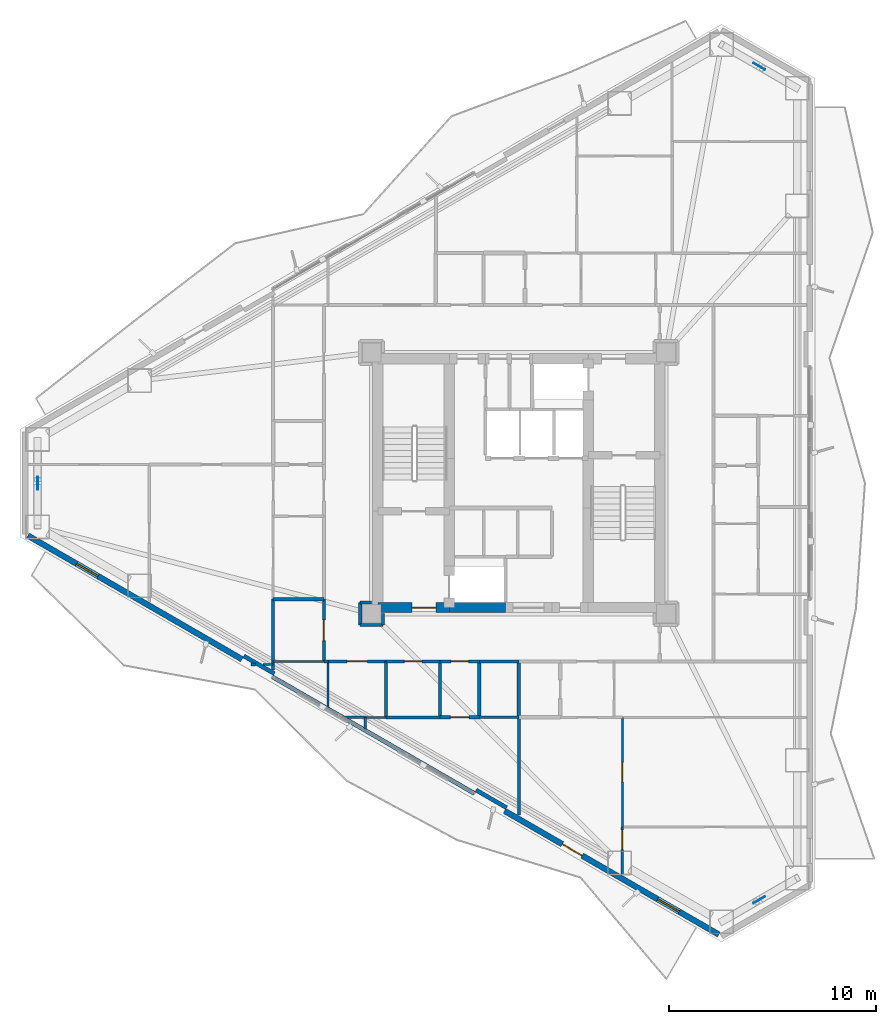
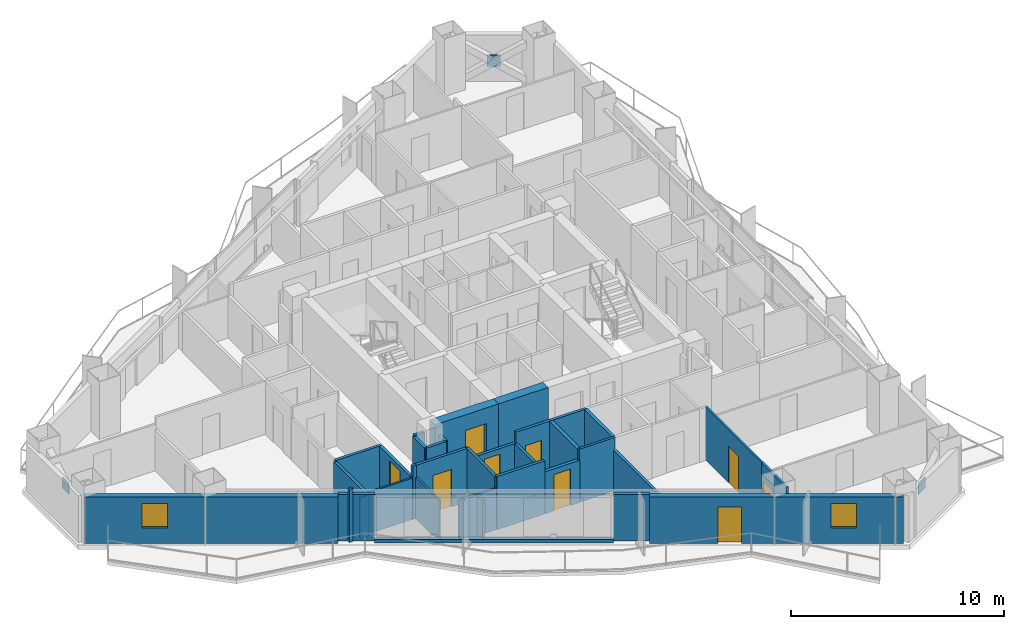
# One storey, part 15 of 23: 36 walls, 9 doors, 3 plates, 2 windows, 11 openings.
"""IFC4 building model written with IfcOpenShell, lengths in metres."""

from ifc_helpers import new_model, si_unit, direction, frame, frame_2d, origin, origin_2d, place, context, subcontext, project, spatial, rectangle, extrude, material, layer, layer_set, type_object, element, fill, save


model = new_model("IFC4")

# Units and contexts
model_context = context("Model", 3, precision=1e-05, world=origin(), true_north=direction((0.0, 1.0)))
body_context = subcontext(model_context, "Body", "Model", "MODEL_VIEW")
ifc_project = project(units=[si_unit("LENGTHUNIT", "METRE"), si_unit("AREAUNIT", "SQUARE_METRE"), si_unit("VOLUMEUNIT", "CUBIC_METRE"), si_unit("PLANEANGLEUNIT", "RADIAN"), si_unit("MASSUNIT", "GRAM", prefix="KILO")], contexts=[model_context])

# Site, building, storey
site_placement = place(None, origin())
site = spatial("IfcSite", under=ifc_project, at=site_placement, CompositionType="ELEMENT")
building_placement = place(site_placement, origin())
building = spatial("IfcBuilding", under=site, at=building_placement, Name="Mersakhor Tower and Convention Hall", CompositionType="ELEMENT")
storey_placement = place(building_placement, frame((0.0, 0.0, 80.10009765625)))
storey = spatial("IfcBuildingStorey", under=building, at=storey_placement, Name="L21", CompositionType="ELEMENT", Elevation=80.10009765625)

# Plates
ifc_material_1 = material(Name="Steel S460", Category="steel")
ifc_layer_1 = layer(ifc_material_1, 0.0400390625)
ifc_layer_set_1 = layer_set([ifc_layer_1], Name="Steel S460")
plate_type = type_object("IfcPlateType", Name="PL-GUSSET-40", PredefinedType="SHEET", material=ifc_layer_set_1)
for number, where, z_axis, x_axis, name in (
    (1, (40.606689453125, 46.853515625, 1.205078125), (0.0, 0.0, 1.0), (-0.866025403784, 0.5, 0.0), "L21 X-Brace Crossing Gusset Node Plate"),
    (2, (40.606689453125, 6.646728515625, 1.205078125), (0.0, 0.0, 1.0), (0.866025403784, 0.5, 0.0), "L21 X-Brace Crossing Gusset Node Plate"),
    (3, (5.78662109375, 26.75, 1.205078125), (0.0, 0.0, 1.0), (0.0, -1.0, 0.0), "L21 X-Brace Crossing Gusset Node Plate"),
):
    element("IfcPlate", number, at=place(storey_placement, frame(where, z_axis=z_axis, x_axis=x_axis)), inside=storey, type_object=plate_type, Name=name, PredefinedType="SHEET", context=body_context, shape_type="SweptSolid", body=[
        extrude(rectangle(XDim=0.639892578125, YDim=0.0400390625, at=origin_2d()), origin(), (0.0, 0.0, 1.0), 0.639892578125),
    ])

# Wall, openings, door, window
ifc_material_2 = material(Name="Precast concrete C45/55", Category="concrete")
ifc_layer_2 = layer(ifc_material_2, 0.27490234375)
ifc_layer_set_2 = layer_set([ifc_layer_2], Name="Precast concrete C45/55")
wall_type_1 = type_object("IfcWallType", Name="WL-EXT-275", PredefinedType="SOLIDWALL", material=ifc_layer_set_2)
wall_1_placement = place(storey_placement, frame((38.648681640625, 4.973388671875, 0.0), z_axis=(0.0, 0.0, 1.0), x_axis=(-0.866023023012, 0.500004123596, 0.0)))
wall_1 = element("IfcWall", 4, at=wall_1_placement, inside=storey, type_object=wall_type_1, Name="L21 Exterior Facade Wall F3-B1", PredefinedType="SOLIDWALL", context=body_context, shape_type="SweptSolid", body=[
    extrude(rectangle(XDim=11.9296875, YDim=0.27490234375, at=frame_2d((5.96484375, 0.0))), origin(), (0.0, 0.0, 1.0), 2.669921875),
])
opening_1_placement = place(wall_1_placement, frame((7.615966796875, 0.0, 0.0)))
opening_1 = element("IfcOpeningElement", 5, at=opening_1_placement, cuts=wall_1, Name="Opening BD-02", PredefinedType="OPENING", context=body_context, shape_type="SweptSolid", body=[
    extrude(rectangle(XDim=1.10009765625, YDim=2.10009765625, at=frame_2d((0.550048828125, 1.050048828125))), frame((0.0, 0.1474609375, 0.0), z_axis=(0.0, -1.0, 0.0), x_axis=(1.0, 0.0, 0.0)), (0.0, 0.0, 1.0), 0.294921875),
])
opening_2_placement = place(wall_1_placement, frame((2.20703125, 0.0, 0.89990234375)))
opening_2 = element("IfcOpeningElement", 6, at=opening_2_placement, cuts=wall_1, Name="Opening W-01", PredefinedType="OPENING", context=body_context, shape_type="SweptSolid", body=[
    extrude(rectangle(XDim=1.199951171875, YDim=1.39990234375, at=frame_2d((0.60009765625, 0.699951171875))), frame((0.0, 0.1474609375, 0.0), z_axis=(0.0, -1.0, 0.0), x_axis=(1.0, 0.0, 0.0)), (0.0, 0.0, 1.0), 0.294921875),
])
ifc_material_3 = material(Name="Thermally broken dark aluminium and safety glass", Category="aluminium")
door_type_1 = type_object("IfcDoorType", Name="DR-BAL-110x210", OperationType="NOTDEFINED", PredefinedType="DOOR", material=ifc_material_3)
door_1_placement = place(opening_1_placement, origin())
door_1 = element("IfcDoor", 7, at=door_1_placement, inside=storey, type_object=door_type_1, Name="L21 Balcony Terrace Door F3-B1", OperationType="SINGLE_SWING_RIGHT", OverallHeight=2.10009765625, OverallWidth=1.10009765625, PredefinedType="DOOR", context=body_context, shape_type="SweptSolid", body=[
    extrude(rectangle(XDim=1.10009765625, YDim=2.10009765625, at=frame_2d((0.550048828125, 1.050048828125))), frame((0.0, 0.02490234375, 0.0), z_axis=(0.0, -1.0, 0.0), x_axis=(1.0, 0.0, 0.0)), (0.0, 0.0, 1.0), 0.050048828125),
])
fill(opening_1, door_1)
ifc_material_4 = material(Name="Dark solar low-E glazed aluminium window", Category="aluminium")
window_type = type_object("IfcWindowType", Name="WN-RES-120x150", PartitioningType="SINGLE_PANEL", PredefinedType="WINDOW", material=ifc_material_4)
window_1_placement = place(opening_2_placement, origin())
window_1 = element("IfcWindow", 8, at=window_1_placement, inside=storey, type_object=window_type, Name="L21 Bedroom Facade Window F3-B1-1", OverallHeight=1.39990234375, OverallWidth=1.199951171875, PartitioningType="SINGLE_PANEL", PredefinedType="WINDOW", context=body_context, shape_type="SweptSolid", body=[
    extrude(rectangle(XDim=1.199951171875, YDim=1.39990234375, at=frame_2d((0.60009765625, 0.699951171875))), frame((0.0, 0.030029296875, 0.0), z_axis=(0.0, -1.0, 0.0), x_axis=(1.0, 0.0, 0.0)), (0.0, 0.0, 1.0), 0.06005859375),
])
fill(opening_2, window_1)

# Wall, opening, window
wall_2_placement = place(storey_placement, frame((15.64794921875, 18.2529296875, 0.0), z_axis=(0.0, 0.0, 1.0), x_axis=(-0.866023023012, 0.500004123596, 0.0)))
wall_2 = element("IfcWall", 9, at=wall_2_placement, inside=storey, type_object=wall_type_1, Name="L21 Exterior Facade Wall F3-B3", PredefinedType="SOLIDWALL", context=body_context, shape_type="SweptSolid", body=[
    extrude(rectangle(XDim=11.9296875, YDim=0.27490234375, at=frame_2d((5.96484375, 0.0))), origin(), (0.0, 0.0, 1.0), 2.669921875),
])
opening_3_placement = place(wall_2_placement, frame((8.02099609375, 0.0, 0.89990234375)))
opening_3 = element("IfcOpeningElement", 10, at=opening_3_placement, cuts=wall_2, Name="Opening W-01", PredefinedType="OPENING", context=body_context, shape_type="SweptSolid", body=[
    extrude(rectangle(XDim=1.199951171875, YDim=1.39990234375, at=frame_2d((0.60009765625, 0.699951171875))), frame((0.0, 0.1474609375, 0.0), z_axis=(0.0, -1.0, 0.0), x_axis=(1.0, 0.0, 0.0)), (0.0, 0.0, 1.0), 0.294921875),
])
window_2_placement = place(opening_3_placement, origin())
window_2 = element("IfcWindow", 11, at=window_2_placement, inside=storey, type_object=window_type, Name="L21 Bedroom Facade Window F3-B3-1", OverallHeight=1.39990234375, OverallWidth=1.199951171875, PartitioningType="SINGLE_PANEL", PredefinedType="WINDOW", context=body_context, shape_type="SweptSolid", body=[
    extrude(rectangle(XDim=1.199951171875, YDim=1.39990234375, at=frame_2d((0.60009765625, 0.699951171875))), frame((0.0, 0.030029296875, 0.0), z_axis=(0.0, -1.0, 0.0), x_axis=(1.0, 0.0, 0.0)), (0.0, 0.0, 1.0), 0.06005859375),
])
fill(opening_3, window_2)

# Walls
ifc_material_5 = material(Name="Precast concrete C40/50", Category="concrete")
ifc_layer_3 = layer(ifc_material_5, 0.199951171875)
ifc_layer_set_3 = layer_set([ifc_layer_3], Name="Precast concrete C40/50")
wall_type_2 = type_object("IfcWallType", Name="WL-PAR-200", PredefinedType="PARAPET", material=ifc_layer_set_3)
wall_3_placement = place(storey_placement, frame((26.84521484375, 11.788330078125, 0.0), z_axis=(0.0, 0.0, 1.0), x_axis=(-0.866027010039, 0.499997217876, 0.0)))
element("IfcWall", 12, at=wall_3_placement, inside=storey, type_object=wall_type_2, Name="L21 Curtain Wall Upstand Sill F3-B2", PredefinedType="PARAPET", context=body_context, shape_type="SweptSolid", body=[
    extrude(rectangle(XDim=11.2294921875, YDim=0.199951171875, at=frame_2d((5.61474609375, 0.0))), origin(), (0.0, 0.0, 1.0), 0.199951171875),
])
wall_4_placement = place(storey_placement, frame((28.407470703125, 11.09423828125, 0.0), z_axis=(0.0, 0.0, 1.0), x_axis=(-0.86605165483, 0.499954529098, 0.0)))
element("IfcWall", 13, at=wall_4_placement, inside=storey, type_object=wall_type_2, Name="L21 Column Pier Cladding Wall F3-C1", PredefinedType="PARAPET", context=body_context, shape_type="SweptSolid", body=[
    extrude(rectangle(XDim=1.699951171875, YDim=0.199951171875, at=frame_2d((0.85009765625, 0.0))), origin(), (0.0, 0.0, 1.0), 2.669921875),
])
wall_5_placement = place(storey_placement, frame((17.210205078125, 17.558837890625, 0.0), z_axis=(0.0, 0.0, 1.0), x_axis=(-0.866025371046, 0.500000056704, 0.0)))
element("IfcWall", 14, at=wall_5_placement, inside=storey, type_object=wall_type_2, Name="L21 Column Pier Cladding Wall F3-C2", PredefinedType="PARAPET", context=body_context, shape_type="SweptSolid", body=[
    extrude(rectangle(XDim=1.7001953125, YDim=0.199951171875, at=frame_2d((0.85009765625, 0.0))), origin(), (0.0, 0.0, 1.0), 2.669921875),
])

# Wall, opening, door
ifc_material_6 = material(Name="Moisture-resistant acoustic drywall studwork", Category="other")
ifc_layer_4 = layer(ifc_material_6, 0.175048828125)
ifc_layer_set_4 = layer_set([ifc_layer_4], Name="Moisture-resistant acoustic drywall studwork")
wall_type_3 = type_object("IfcWallType", Name="WL-PLM-175", PredefinedType="PLUMBINGWALL", material=ifc_layer_set_4)
wall_6_placement = place(storey_placement, frame((27.10009765625, 15.449951171875, 0.0), z_axis=(0.0, 0.0, 1.0), x_axis=(-1.0, 0.0, 0.0)))
wall_6 = element("IfcWall", 15, at=wall_6_placement, inside=storey, type_object=wall_type_3, Name="L21 Interior Partition Wall P-086", PredefinedType="PLUMBINGWALL", context=body_context, shape_type="SweptSolid", body=[
    extrude(rectangle(XDim=1.900146484375, YDim=0.175048828125, at=frame_2d((0.9501953125, 0.0))), origin(), (0.0, 0.0, 1.0), 2.422607421875),
])
opening_4_placement = place(wall_6_placement, frame((0.5, 0.0, 0.0)))
opening_4 = element("IfcOpeningElement", 16, at=opening_4_placement, cuts=wall_6, Name="Opening WD-01", PredefinedType="OPENING", context=body_context, shape_type="SweptSolid", body=[
    extrude(rectangle(XDim=0.89990234375, YDim=2.10009765625, at=frame_2d((0.449951171875, 1.050048828125))), frame((0.0, 0.097412109375, 0.0), z_axis=(0.0, -1.0, 0.0), x_axis=(1.0, 0.0, 0.0)), (0.0, 0.0, 1.0), 0.195068359375),
])
ifc_material_7 = material(Name="Solid-core hardwood leaf in painted steel frame", Category="steel")
door_type_2 = type_object("IfcDoorType", Name="DR-INT-WET-090x210", OperationType="NOTDEFINED", PredefinedType="DOOR", material=ifc_material_7)
door_2_placement = place(opening_4_placement, origin())
door_2 = element("IfcDoor", 17, at=door_2_placement, inside=storey, type_object=door_type_2, Name="L21 L21 Floor Shared Restroom WC 2-2 to L21 Floor Residents Study Room 2-4 Door", OperationType="SINGLE_SWING_LEFT", OverallHeight=2.10009765625, OverallWidth=0.89990234375, PredefinedType="DOOR", context=body_context, shape_type="SweptSolid", body=[
    extrude(rectangle(XDim=0.89990234375, YDim=2.10009765625, at=frame_2d((0.449951171875, 1.050048828125))), frame((0.0, 0.02490234375, 0.0), z_axis=(0.0, -1.0, 0.0), x_axis=(1.0, 0.0, 0.0)), (0.0, 0.0, 1.0), 0.050048828125),
])
fill(opening_4, door_2)

# Walls
for number, where, z_axis, x_axis, name in (
    (18, (27.10009765625, 18.14990234375, 0.0), (0.0, 0.0, 1.0), (0.0, -1.0, 0.0), "L21 Interior Partition Wall P-088"),
    (19, (29.0, 15.449951171875, 0.0), (0.0, 0.0, 1.0), (0.0, 1.0, 0.0), "L21 Interior Partition Wall P-090"),
):
    element("IfcWall", number, at=place(storey_placement, frame(where, z_axis=z_axis, x_axis=x_axis)), inside=storey, type_object=wall_type_3, Name=name, PredefinedType="PLUMBINGWALL", context=body_context, shape_type="SweptSolid", body=[
        extrude(rectangle(XDim=2.699951171875, YDim=0.175048828125, at=frame_2d((1.35009765625, 0.0))), origin(), (0.0, 0.0, 1.0), 3.0498046875),
    ])
ifc_material_8 = material(Name="Lightweight gypsum partition", Category="other")
ifc_layer_5 = layer(ifc_material_8, 0.10009765625)
ifc_layer_set_5 = layer_set([ifc_layer_5], Name="Lightweight gypsum partition")
wall_type_4 = type_object("IfcWallType", Name="WL-PRT-100", PredefinedType="PARTITIONING", material=ifc_layer_set_5)
wall_7_placement = place(storey_placement, frame((19.60009765625, 18.14990234375, 0.0), z_axis=(0.0, 0.0, 1.0), x_axis=(-1.0, 0.0, 0.0)))
element("IfcWall", 20, at=wall_7_placement, inside=storey, type_object=wall_type_4, Name="L21 Interior Partition Wall P-108", PredefinedType="PARTITIONING", context=body_context, shape_type="SweptSolid", body=[
    extrude(rectangle(XDim=2.4501953125, YDim=0.10009765625, at=frame_2d((1.22509765625, 0.0))), origin(), (0.0, 0.0, 1.0), 2.364990234375),
])
wall_8_placement = place(storey_placement, frame((22.60009765625, 15.449951171875, 0.0), z_axis=(0.0, 0.0, 1.0), x_axis=(-1.0, 0.0, 0.0)))
element("IfcWall", 21, at=wall_8_placement, inside=storey, type_object=wall_type_4, Name="L21 Interior Partition Wall P-122", PredefinedType="PARTITIONING", context=body_context, shape_type="SweptSolid", body=[
    extrude(rectangle(XDim=1.0, YDim=0.10009765625, at=frame_2d((0.5, 0.0))), origin(), (0.0, 0.0, 1.0), 2.364990234375),
])
wall_9_placement = place(storey_placement, frame((19.800048828125, 15.8974609375, 0.0), z_axis=(0.0, 0.0, 1.0), x_axis=(0.0, 1.0, 0.0)))
element("IfcWall", 22, at=wall_9_placement, inside=storey, type_object=wall_type_4, Name="L21 Interior Partition Wall P-124", PredefinedType="PARTITIONING", context=body_context, shape_type="SweptSolid", body=[
    extrude(rectangle(XDim=2.25244140625, YDim=0.10009765625, at=frame_2d((1.126220703125, 0.0))), origin(), (0.0, 0.0, 1.0), 2.364990234375),
])

# Wall, opening, door
wall_10_placement = place(storey_placement, frame((34.0, 15.449951171875, 0.0), z_axis=(0.0, 0.0, 1.0), x_axis=(0.0, -1.0, 0.0)))
wall_10 = element("IfcWall", 23, at=wall_10_placement, inside=storey, type_object=wall_type_4, Name="L21 Interior Partition Wall P-128", PredefinedType="PARTITIONING", context=body_context, shape_type="SweptSolid", body=[
    extrude(rectangle(XDim=5.280029296875, YDim=0.10009765625, at=frame_2d((2.64013671875, 0.0))), origin(), (0.0, 0.0, 1.0), 3.0498046875),
])
opening_5_placement = place(wall_10_placement, frame((2.1650390625, 0.0, 0.0)))
opening_5 = element("IfcOpeningElement", 24, at=opening_5_placement, cuts=wall_10, Name="Opening RD-01", PredefinedType="OPENING", context=body_context, shape_type="SweptSolid", body=[
    extrude(rectangle(XDim=0.949951171875, YDim=2.10009765625, at=frame_2d((0.47509765625, 1.050048828125))), frame((0.0, 0.06005859375, 0.0), z_axis=(0.0, -1.0, 0.0), x_axis=(1.0, 0.0, 0.0)), (0.0, 0.0, 1.0), 0.1201171875),
])
ifc_material_9 = material(Name="Solid-core hardwood leaf in painted steel frame", Category="steel")
door_type_3 = type_object("IfcDoorType", Name="DR-INT-RM-095x210", OperationType="NOTDEFINED", PredefinedType="DOOR", material=ifc_material_9)
door_3_placement = place(opening_5_placement, origin())
door_3 = element("IfcDoor", 25, at=door_3_placement, inside=storey, type_object=door_type_3, Name="L21 L21 Flat S3 Living and Dining Room to L21 Flat S3 Dining Room Door", OperationType="SINGLE_SWING_RIGHT", OverallHeight=2.10009765625, OverallWidth=0.949951171875, PredefinedType="DOOR", context=body_context, shape_type="SweptSolid", body=[
    extrude(rectangle(XDim=0.949951171875, YDim=2.10009765625, at=frame_2d((0.47509765625, 1.050048828125))), frame((0.0, 0.02490234375, 0.0), z_axis=(0.0, -1.0, 0.0), x_axis=(1.0, 0.0, 0.0)), (0.0, 0.0, 1.0), 0.050048828125),
])
fill(opening_5, door_3)

# Walls
wall_11_placement = place(storey_placement, frame((17.14990234375, 18.0, 0.0), z_axis=(0.0, 0.0, 1.0), x_axis=(-1.0, 0.0, 0.0)))
element("IfcWall", 26, at=wall_11_placement, inside=storey, type_object=wall_type_4, Name="L21 Interior Partition Wall P-136", PredefinedType="PARTITIONING", context=body_context, shape_type="SweptSolid", body=[
    extrude(rectangle(XDim=0.478271484375, YDim=0.10009765625, at=frame_2d((0.2392578125, 0.0))), origin(), (0.0, 0.0, 1.0), 2.364990234375),
])
ifc_material_10 = material(Name="Gypsum board acoustic partition", Category="other")
ifc_layer_6 = layer(ifc_material_10, 0.125)
ifc_layer_set_6 = layer_set([ifc_layer_6], Name="Gypsum board acoustic partition")
wall_type_5 = type_object("IfcWallType", Name="WL-PRT-125", PredefinedType="PARTITIONING", material=ifc_layer_set_6)
wall_12_placement = place(storey_placement, frame((21.60009765625, 15.449951171875, 0.0), z_axis=(0.0, 0.0, 1.0), x_axis=(-1.0, 0.0, 0.0)))
element("IfcWall", 27, at=wall_12_placement, inside=storey, type_object=wall_type_5, Name="L21 Interior Partition Wall P-123", PredefinedType="PARTITIONING", context=body_context, shape_type="SweptSolid", body=[
    extrude(rectangle(XDim=1.03173828125, YDim=0.125, at=frame_2d((0.515869140625, 0.0))), origin(), (0.0, 0.0, 1.0), 2.364990234375),
])
wall_13_placement = place(storey_placement, frame((27.10009765625, 15.449951171875, 0.0), z_axis=(0.0, 0.0, 1.0), x_axis=(1.0, 0.0, 0.0)))
element("IfcWall", 28, at=wall_13_placement, inside=storey, type_object=wall_type_5, Name="L21 Interior Partition Wall P-125", PredefinedType="PARTITIONING", context=body_context, shape_type="SweptSolid", body=[
    extrude(rectangle(XDim=1.89990234375, YDim=0.125, at=frame_2d((0.949951171875, 0.0))), origin(), (0.0, 0.0, 1.0), 3.0498046875),
])
wall_14_placement = place(storey_placement, frame((21.60009765625, 14.88818359375, 0.0), z_axis=(0.0, 0.0, 1.0), x_axis=(0.0, 1.0, 0.0)))
element("IfcWall", 29, at=wall_14_placement, inside=storey, type_object=wall_type_5, Name="L21 Interior Partition Wall P-127", PredefinedType="PARTITIONING", context=body_context, shape_type="SweptSolid", body=[
    extrude(rectangle(XDim=0.561767578125, YDim=0.125, at=frame_2d((0.28076171875, 0.0))), origin(), (0.0, 0.0, 1.0), 2.364990234375),
])

# Wall, opening, door
wall_15_placement = place(storey_placement, frame((34.0, 10.169921875, 0.0), z_axis=(0.0, 0.0, 1.0), x_axis=(0.0, -1.0, 0.0)))
wall_15 = element("IfcWall", 30, at=wall_15_placement, inside=storey, type_object=wall_type_5, Name="L21 Interior Partition Wall P-129", PredefinedType="PARTITIONING", context=body_context, shape_type="SweptSolid", body=[
    extrude(rectangle(XDim=2.325927734375, YDim=0.125, at=frame_2d((1.1630859375, 0.0))), origin(), (0.0, 0.0, 1.0), 3.0498046875),
])
opening_6_placement = place(wall_15_placement, frame((0.140869140625, 0.0, 0.0)))
opening_6 = element("IfcOpeningElement", 31, at=opening_6_placement, cuts=wall_15, Name="Opening RD-01", PredefinedType="OPENING", context=body_context, shape_type="SweptSolid", body=[
    extrude(rectangle(XDim=0.949951171875, YDim=2.10009765625, at=frame_2d((0.47509765625, 1.050048828125))), frame((0.0, 0.072509765625, 0.0), z_axis=(0.0, -1.0, 0.0), x_axis=(1.0, 0.0, 0.0)), (0.0, 0.0, 1.0), 0.14501953125),
])
door_4_placement = place(opening_6_placement, origin())
door_4 = element("IfcDoor", 32, at=door_4_placement, inside=storey, type_object=door_type_3, Name="L21 L21 Flat S3 Living and Dining Room to L21 Flat S3 Bedroom 1 Door", OperationType="SINGLE_SWING_LEFT", OverallHeight=2.10009765625, OverallWidth=0.949951171875, PredefinedType="DOOR", context=body_context, shape_type="SweptSolid", body=[
    extrude(rectangle(XDim=0.949951171875, YDim=2.10009765625, at=frame_2d((0.47509765625, 1.050048828125))), frame((0.0, 0.02490234375, 0.0), z_axis=(0.0, -1.0, 0.0), x_axis=(1.0, 0.0, 0.0)), (0.0, 0.0, 1.0), 0.050048828125),
])
fill(opening_6, door_4)

# Walls
wall_16_placement = place(storey_placement, frame((16.2861328125, 18.0, 0.0), z_axis=(0.0, 0.0, 1.0), x_axis=(-1.0, 0.0, 0.0)))
element("IfcWall", 33, at=wall_16_placement, inside=storey, type_object=wall_type_5, Name="L21 Interior Partition Wall P-137", PredefinedType="PARTITIONING", context=body_context, shape_type="SweptSolid", body=[
    extrude(rectangle(XDim=0.2001953125, YDim=0.125, at=frame_2d((0.10009765625, 0.0))), origin(), (0.0, 0.0, 1.0), 3.0498046875),
])
ifc_material_11 = material(Name="Fire-rated gypsum board stud partition", Category="other")
ifc_layer_7 = layer(ifc_material_11, 0.14990234375)
ifc_layer_set_7 = layer_set([ifc_layer_7], Name="Fire-rated gypsum board stud partition")
wall_type_6 = type_object("IfcWallType", Name="WL-PRT-150", PredefinedType="PARTITIONING", material=ifc_layer_set_7)
wall_17_placement = place(storey_placement, frame((21.35009765625, 19.89990234375, 0.0), z_axis=(0.0, 0.0, 1.0), x_axis=(1.0, 0.0, 0.0)))
element("IfcWall", 34, at=wall_17_placement, inside=storey, type_object=wall_type_6, Name="L21 Interior Partition Wall P-019", PredefinedType="PARTITIONING", context=body_context, shape_type="SweptSolid", body=[
    extrude(rectangle(XDim=1.099853515625, YDim=0.14990234375, at=frame_2d((0.5498046875, 0.0))), origin(), (0.0, 0.0, 1.0), 2.422607421875),
])
wall_18_placement = place(storey_placement, frame((22.449951171875, 19.89990234375, 0.0), z_axis=(0.0, 0.0, 1.0), x_axis=(0.0, 1.0, 0.0)))
element("IfcWall", 35, at=wall_18_placement, inside=storey, type_object=wall_type_6, Name="L21 Interior Partition Wall P-020", PredefinedType="PARTITIONING", context=body_context, shape_type="SweptSolid", body=[
    extrude(rectangle(XDim=0.550048828125, YDim=0.14990234375, at=frame_2d((0.27490234375, 0.0))), origin(), (0.0, 0.0, 1.0), 2.422607421875),
])
wall_19_placement = place(storey_placement, frame((29.0, 18.14990234375, 0.0), z_axis=(0.0, 0.0, 1.0), x_axis=(-1.0, 0.0, 0.0)))
element("IfcWall", 36, at=wall_19_placement, inside=storey, type_object=wall_type_6, Name="L21 Interior Partition Wall P-027", PredefinedType="PARTITIONING", context=body_context, shape_type="SweptSolid", body=[
    extrude(rectangle(XDim=1.89990234375, YDim=0.14990234375, at=frame_2d((0.949951171875, 0.0))), origin(), (0.0, 0.0, 1.0), 3.0498046875),
])

# Wall, opening, door
wall_20_placement = place(storey_placement, frame((27.10009765625, 18.14990234375, 0.0), z_axis=(0.0, 0.0, 1.0), x_axis=(-1.0, 0.0, 0.0)))
wall_20 = element("IfcWall", 37, at=wall_20_placement, inside=storey, type_object=wall_type_6, Name="L21 Interior Partition Wall P-028", PredefinedType="PARTITIONING", context=body_context, shape_type="SweptSolid", body=[
    extrude(rectangle(XDim=1.900146484375, YDim=0.14990234375, at=frame_2d((0.9501953125, 0.0))), origin(), (0.0, 0.0, 1.0), 3.0498046875),
])
opening_7_placement = place(wall_20_placement, frame((0.52490234375, 0.0, 0.0)))
opening_7 = element("IfcOpeningElement", 38, at=opening_7_placement, cuts=wall_20, Name="Opening SVD-01", PredefinedType="OPENING", context=body_context, shape_type="SweptSolid", body=[
    extrude(rectangle(XDim=0.85009765625, YDim=2.10009765625, at=frame_2d((0.425048828125, 1.050048828125))), frame((0.0, 0.0849609375, 0.0), z_axis=(0.0, -1.0, 0.0), x_axis=(1.0, 0.0, 0.0)), (0.0, 0.0, 1.0), 0.169921875),
])
ifc_material_12 = material(Name="Fire-rated hardwood leaf and painted steel frame", Category="steel")
door_type_4 = type_object("IfcDoorType", Name="DR-INT-SVC-085x210", OperationType="NOTDEFINED", PredefinedType="DOOR", material=ifc_material_12)
door_5_placement = place(opening_7_placement, origin())
door_5 = element("IfcDoor", 39, at=door_5_placement, inside=storey, type_object=door_type_4, Name="L21 Residential Ring Corridor to L21 Floor Shared Restroom WC 2-2 Door", OperationType="SINGLE_SWING_RIGHT", OverallHeight=2.10009765625, OverallWidth=0.85009765625, PredefinedType="DOOR", context=body_context, shape_type="SweptSolid", body=[
    extrude(rectangle(XDim=0.85009765625, YDim=2.10009765625, at=frame_2d((0.425048828125, 1.050048828125))), frame((0.0, 0.02490234375, 0.0), z_axis=(0.0, -1.0, 0.0), x_axis=(1.0, 0.0, 0.0)), (0.0, 0.0, 1.0), 0.050048828125),
])
fill(opening_7, door_5)

wall_21_placement = place(storey_placement, frame((25.199951171875, 18.14990234375, 0.0), z_axis=(0.0, 0.0, 1.0), x_axis=(-1.0, 0.0, 0.0)))
wall_21 = element("IfcWall", 40, at=wall_21_placement, inside=storey, type_object=wall_type_6, Name="L21 Interior Partition Wall P-029", PredefinedType="PARTITIONING", context=body_context, shape_type="SweptSolid", body=[
    extrude(rectangle(XDim=2.599853515625, YDim=0.14990234375, at=frame_2d((1.2998046875, 0.0))), origin(), (0.0, 0.0, 1.0), 2.422607421875),
])
opening_8_placement = place(wall_21_placement, frame((0.875, 0.0, 0.0)))
opening_8 = element("IfcOpeningElement", 41, at=opening_8_placement, cuts=wall_21, Name="Opening SVD-01", PredefinedType="OPENING", context=body_context, shape_type="SweptSolid", body=[
    extrude(rectangle(XDim=0.85009765625, YDim=2.10009765625, at=frame_2d((0.425048828125, 1.050048828125))), frame((0.0, 0.0849609375, 0.0), z_axis=(0.0, -1.0, 0.0), x_axis=(1.0, 0.0, 0.0)), (0.0, 0.0, 1.0), 0.169921875),
])
door_6_placement = place(opening_8_placement, origin())
door_6 = element("IfcDoor", 42, at=door_6_placement, inside=storey, type_object=door_type_4, Name="L21 Residential Ring Corridor to L21 Floor Household Store Room 2-1 Door", OperationType="SINGLE_SWING_RIGHT", OverallHeight=2.10009765625, OverallWidth=0.85009765625, PredefinedType="DOOR", context=body_context, shape_type="SweptSolid", body=[
    extrude(rectangle(XDim=0.85009765625, YDim=2.10009765625, at=frame_2d((0.425048828125, 1.050048828125))), frame((0.0, 0.02490234375, 0.0), z_axis=(0.0, -1.0, 0.0), x_axis=(1.0, 0.0, 0.0)), (0.0, 0.0, 1.0), 0.050048828125),
])
fill(opening_8, door_6)

wall_22_placement = place(storey_placement, frame((22.60009765625, 18.14990234375, 0.0), z_axis=(0.0, 0.0, 1.0), x_axis=(-1.0, 0.0, 0.0)))
wall_22 = element("IfcWall", 43, at=wall_22_placement, inside=storey, type_object=wall_type_6, Name="L21 Interior Partition Wall P-030", PredefinedType="PARTITIONING", context=body_context, shape_type="SweptSolid", body=[
    extrude(rectangle(XDim=2.800048828125, YDim=0.14990234375, at=frame_2d((1.39990234375, 0.0))), origin(), (0.0, 0.0, 1.0), 3.0498046875),
])
opening_9_placement = place(wall_22_placement, frame((0.89990234375, 0.0, 0.0)))
opening_9 = element("IfcOpeningElement", 44, at=opening_9_placement, cuts=wall_22, Name="Opening FD-01", PredefinedType="OPENING", context=body_context, shape_type="SweptSolid", body=[
    extrude(rectangle(XDim=1.0, YDim=2.14990234375, at=frame_2d((0.5, 1.074951171875))), frame((0.0, 0.0849609375, 0.0), z_axis=(0.0, -1.0, 0.0), x_axis=(1.0, 0.0, 0.0)), (0.0, 0.0, 1.0), 0.169921875),
])
ifc_material_13 = material(Name="Fire-rated hardwood leaf and painted steel frame", Category="steel")
door_type_5 = type_object("IfcDoorType", Name="DR-INT-FLT-100x215", OperationType="NOTDEFINED", PredefinedType="DOOR", material=ifc_material_13)
door_7_placement = place(opening_9_placement, origin())
door_7 = element("IfcDoor", 45, at=door_7_placement, inside=storey, type_object=door_type_5, Name="L21 Residential Ring Corridor to L21 Floor Shared Tea Pantry 2-3 Door", OperationType="SINGLE_SWING_LEFT", OverallHeight=2.14990234375, OverallWidth=1.0, PredefinedType="DOOR", context=body_context, shape_type="SweptSolid", body=[
    extrude(rectangle(XDim=1.0, YDim=2.14990234375, at=frame_2d((0.5, 1.074951171875))), frame((0.0, 0.02490234375, 0.0), z_axis=(0.0, -1.0, 0.0), x_axis=(1.0, 0.0, 0.0)), (0.0, 0.0, 1.0), 0.050048828125),
])
fill(opening_9, door_7)

# Wall
wall_23_placement = place(storey_placement, frame((19.800048828125, 18.14990234375, 0.0), z_axis=(0.0, 0.0, 1.0), x_axis=(-1.0, 0.0, 0.0)))
element("IfcWall", 46, at=wall_23_placement, inside=storey, type_object=wall_type_6, Name="L21 Interior Partition Wall P-031", PredefinedType="PARTITIONING", context=body_context, shape_type="SweptSolid", body=[
    extrude(rectangle(XDim=0.199951171875, YDim=0.14990234375, at=frame_2d((0.10009765625, 0.0))), origin(), (0.0, 0.0, 1.0), 3.0498046875),
])

# Wall, opening, door
wall_24_placement = place(storey_placement, frame((19.60009765625, 18.14990234375, 0.0), z_axis=(0.0, 0.0, 1.0), x_axis=(0.0, 1.0, 0.0)))
wall_24 = element("IfcWall", 47, at=wall_24_placement, inside=storey, type_object=wall_type_6, Name="L21 Interior Partition Wall P-032", PredefinedType="PARTITIONING", context=body_context, shape_type="SweptSolid", body=[
    extrude(rectangle(XDim=3.0, YDim=0.14990234375, at=frame_2d((1.5, 0.0))), origin(), (0.0, 0.0, 1.0), 2.422607421875),
])
opening_10_placement = place(wall_24_placement, frame((1.0, 0.0, 0.0)))
opening_10 = element("IfcOpeningElement", 48, at=opening_10_placement, cuts=wall_24, Name="Opening FD-01", PredefinedType="OPENING", context=body_context, shape_type="SweptSolid", body=[
    extrude(rectangle(XDim=1.0, YDim=2.14990234375, at=frame_2d((0.5, 1.074951171875))), frame((0.0, 0.0849609375, 0.0), z_axis=(0.0, -1.0, 0.0), x_axis=(1.0, 0.0, 0.0)), (0.0, 0.0, 1.0), 0.169921875),
])
door_8_placement = place(opening_10_placement, origin())
door_8 = element("IfcDoor", 49, at=door_8_placement, inside=storey, type_object=door_type_5, Name="L21 Residential Ring Corridor to L21 West Wing Shared Laundry Room Door", OperationType="SINGLE_SWING_LEFT", OverallHeight=2.14990234375, OverallWidth=1.0, PredefinedType="DOOR", context=body_context, shape_type="SweptSolid", body=[
    extrude(rectangle(XDim=1.0, YDim=2.14990234375, at=frame_2d((0.5, 1.074951171875))), frame((0.0, 0.02490234375, 0.0), z_axis=(0.0, -1.0, 0.0), x_axis=(1.0, 0.0, 0.0)), (0.0, 0.0, 1.0), 0.050048828125),
])
fill(opening_10, door_8)

# Walls
wall_25_placement = place(storey_placement, frame((21.89990234375, 21.0, 0.0), z_axis=(0.0, 0.0, 1.0), x_axis=(-1.0, 0.0, 0.0)))
element("IfcWall", 50, at=wall_25_placement, inside=storey, type_object=wall_type_6, Name="L21 Interior Partition Wall P-051", PredefinedType="PARTITIONING", context=body_context, shape_type="SweptSolid", body=[
    extrude(rectangle(XDim=0.5498046875, YDim=0.14990234375, at=frame_2d((0.27490234375, 0.0))), origin(), (0.0, 0.0, 1.0), 2.498291015625),
])
wall_26_placement = place(storey_placement, frame((21.35009765625, 21.0, 0.0), z_axis=(0.0, 0.0, 1.0), x_axis=(0.0, -1.0, 0.0)))
element("IfcWall", 51, at=wall_26_placement, inside=storey, type_object=wall_type_6, Name="L21 Interior Partition Wall P-052", PredefinedType="PARTITIONING", context=body_context, shape_type="SweptSolid", body=[
    extrude(rectangle(XDim=1.10009765625, YDim=0.14990234375, at=frame_2d((0.550048828125, 0.0))), origin(), (0.0, 0.0, 1.0), 2.422607421875),
])
wall_27_placement = place(storey_placement, frame((25.199951171875, 15.449951171875, 0.0), z_axis=(0.0, 0.0, 1.0), x_axis=(0.0, 1.0, 0.0)))
element("IfcWall", 52, at=wall_27_placement, inside=storey, type_object=wall_type_6, Name="L21 Interior Partition Wall P-087", PredefinedType="PARTITIONING", context=body_context, shape_type="SweptSolid", body=[
    extrude(rectangle(XDim=2.699951171875, YDim=0.14990234375, at=frame_2d((1.35009765625, 0.0))), origin(), (0.0, 0.0, 1.0), 2.422607421875),
])
wall_28_placement = place(storey_placement, frame((19.60009765625, 21.14990234375, 0.0), z_axis=(0.0, 0.0, 1.0), x_axis=(-1.0, 0.0, 0.0)))
element("IfcWall", 53, at=wall_28_placement, inside=storey, type_object=wall_type_6, Name="L21 Interior Partition Wall P-097", PredefinedType="PARTITIONING", context=body_context, shape_type="SweptSolid", body=[
    extrude(rectangle(XDim=2.4501953125, YDim=0.14990234375, at=frame_2d((1.22509765625, 0.0))), origin(), (0.0, 0.0, 1.0), 2.422607421875),
])
wall_29_placement = place(storey_placement, frame((17.14990234375, 17.73681640625, 0.0), z_axis=(0.0, 0.0, 1.0), x_axis=(0.0, 1.0, 0.0)))
element("IfcWall", 54, at=wall_29_placement, inside=storey, type_object=wall_type_6, Name="L21 Interior Partition Wall P-107", PredefinedType="PARTITIONING", context=body_context, shape_type="SweptSolid", body=[
    extrude(rectangle(XDim=3.4130859375, YDim=0.14990234375, at=frame_2d((1.70654296875, 0.0))), origin(), (0.0, 0.0, 1.0), 2.364990234375),
])
wall_30_placement = place(storey_placement, frame((25.199951171875, 15.449951171875, 0.0), z_axis=(0.0, 0.0, 1.0), x_axis=(-1.0, 0.0, 0.0)))
element("IfcWall", 55, at=wall_30_placement, inside=storey, type_object=wall_type_6, Name="L21 Interior Partition Wall P-120", PredefinedType="PARTITIONING", context=body_context, shape_type="SweptSolid", body=[
    extrude(rectangle(XDim=2.599853515625, YDim=0.14990234375, at=frame_2d((1.2998046875, 0.0))), origin(), (0.0, 0.0, 1.0), 3.0498046875),
])
wall_31_placement = place(storey_placement, frame((22.60009765625, 15.449951171875, 0.0), z_axis=(0.0, 0.0, 1.0), x_axis=(0.0, 1.0, 0.0)))
element("IfcWall", 56, at=wall_31_placement, inside=storey, type_object=wall_type_6, Name="L21 Interior Partition Wall P-121", PredefinedType="PARTITIONING", context=body_context, shape_type="SweptSolid", body=[
    extrude(rectangle(XDim=2.699951171875, YDim=0.14990234375, at=frame_2d((1.35009765625, 0.0))), origin(), (0.0, 0.0, 1.0), 3.0498046875),
])
wall_32_placement = place(storey_placement, frame((29.0, 15.449951171875, 0.0), z_axis=(0.0, 0.0, 1.0), x_axis=(0.0, -1.0, 0.0)))
element("IfcWall", 57, at=wall_32_placement, inside=storey, type_object=wall_type_6, Name="L21 Interior Partition Wall P-126", PredefinedType="PARTITIONING", context=body_context, shape_type="SweptSolid", body=[
    extrude(rectangle(XDim=4.71923828125, YDim=0.14990234375, at=frame_2d((2.359619140625, 0.0))), origin(), (0.0, 0.0, 1.0), 2.364990234375),
])
ifc_material_14 = material(Name="Concrete C70/85", Category="concrete")
ifc_layer_8 = layer(ifc_material_14, 0.5)
ifc_layer_set_8 = layer_set([ifc_layer_8], Name="Concrete C70/85")
wall_type_7 = type_object("IfcWallType", Name="WL-SHR-500", PredefinedType="SHEAR", material=ifc_layer_set_8)
wall_33_placement = place(storey_placement, frame((28.35009765625, 20.75, 0.0), z_axis=(0.0, 0.0, 1.0), x_axis=(-1.0, 0.0, 0.0)))
element("IfcWall", 58, at=wall_33_placement, inside=storey, type_object=wall_type_7, Name="L21 Core Wall CW-S3", PredefinedType="SHEAR", context=body_context, shape_type="SweptSolid", body=[
    extrude(rectangle(XDim=2.7001953125, YDim=0.5, at=frame_2d((1.35009765625, 0.0))), origin(), (0.0, 0.0, 1.0), 3.0498046875),
])

# Wall, opening, door
wall_34_placement = place(storey_placement, frame((25.64990234375, 20.75, 0.0), z_axis=(0.0, 0.0, 1.0), x_axis=(-1.0, 0.0, 0.0)))
wall_34 = element("IfcWall", 59, at=wall_34_placement, inside=storey, type_object=wall_type_7, Name="L21 Core Wall CW-S4", PredefinedType="SHEAR", context=body_context, shape_type="SweptSolid", body=[
    extrude(rectangle(XDim=3.449951171875, YDim=0.5, at=frame_2d((1.72509765625, 0.0))), origin(), (0.0, 0.0, 1.0), 3.0498046875),
])
opening_11_placement = place(wall_34_placement, frame((0.64990234375, 0.0, 0.0)))
opening_11 = element("IfcOpeningElement", 60, at=opening_11_placement, cuts=wall_34, Name="Opening SD-01", PredefinedType="OPENING", context=body_context, shape_type="SweptSolid", body=[
    extrude(rectangle(XDim=1.14990234375, YDim=2.14990234375, at=frame_2d((0.574951171875, 1.074951171875))), frame((0.0, 0.260009765625, 0.0), z_axis=(0.0, -1.0, 0.0), x_axis=(1.0, 0.0, 0.0)), (0.0, 0.0, 1.0), 0.52001953125),
])
ifc_material_15 = material(Name="Fire-rated hardwood leaf and painted steel frame", Category="steel")
door_type_6 = type_object("IfcDoorType", Name="DR-INT-STAIR-115x215", OperationType="NOTDEFINED", PredefinedType="DOOR", material=ifc_material_15)
door_9_placement = place(opening_11_placement, origin())
door_9 = element("IfcDoor", 61, at=door_9_placement, inside=storey, type_object=door_type_6, Name="L21 Firefighting Lobby West Fire Door", OperationType="SINGLE_SWING_LEFT", OverallHeight=2.14990234375, OverallWidth=1.14990234375, PredefinedType="DOOR", context=body_context, shape_type="SweptSolid", body=[
    extrude(rectangle(XDim=1.14990234375, YDim=2.14990234375, at=frame_2d((0.574951171875, 1.074951171875))), frame((0.0, 0.02490234375, 0.0), z_axis=(0.0, -1.0, 0.0), x_axis=(1.0, 0.0, 0.0)), (0.0, 0.0, 1.0), 0.050048828125),
])
fill(opening_11, door_9)

save(model, "model.ifc")
